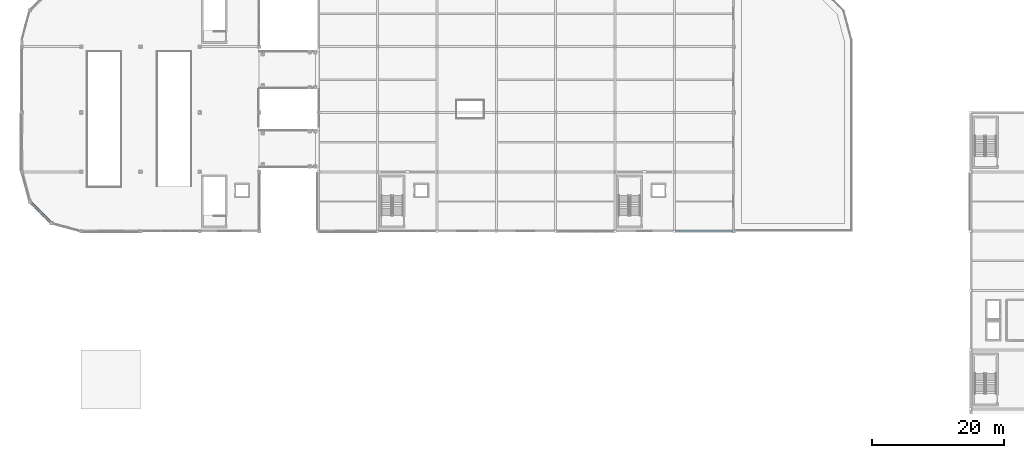
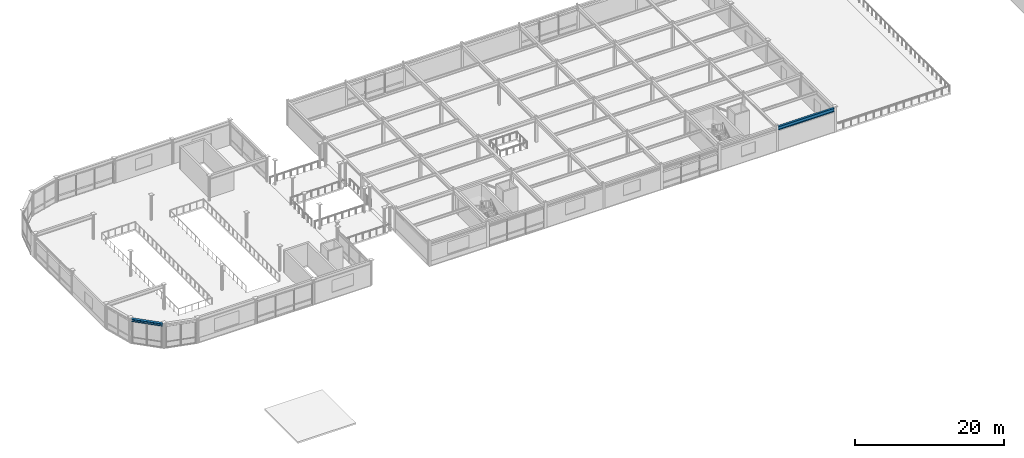
# One storey, part 18 of 53: 2 beams.
"""IFC4 building model written with IfcOpenShell, lengths in metres."""

from ifc_helpers import new_model, si_unit, direction, frame, origin, origin_2d, place, context, subcontext, project, spatial, i_section, extrude, material, material_profile, profile_set, type_object, element, save


model = new_model("IFC4")

# Units and contexts
model_context = context("Model", 3, precision=1e-05, world=origin(), true_north=direction((0.0, 1.0)))
body_context = subcontext(model_context, "Body", "Model", "MODEL_VIEW")
ifc_project = project(units=[si_unit("LENGTHUNIT", "METRE"), si_unit("AREAUNIT", "SQUARE_METRE"), si_unit("VOLUMEUNIT", "CUBIC_METRE"), si_unit("PLANEANGLEUNIT", "RADIAN"), si_unit("MASSUNIT", "GRAM", prefix="KILO")], contexts=[model_context])

# Site, building, storey
site_placement = place(None, origin())
site = spatial("IfcSite", under=ifc_project, at=site_placement, CompositionType="ELEMENT")
building_placement = place(site_placement, origin())
building = spatial("IfcBuilding", under=site, at=building_placement, Name="Suzunagisa Mobility Hub", CompositionType="ELEMENT")
storey_placement = place(building_placement, frame((0.0, 0.0, 17.699951171875)))
storey = spatial("IfcBuildingStorey", under=building, at=storey_placement, Name="L04", CompositionType="ELEMENT", Elevation=17.699951171875)

# Beams
ifc_material = material(Name="Steel SN490B", Category="steel")
ifc_material_profile_1 = material_profile(ifc_material, i_section(OverallWidth=0.39990234375, OverallDepth=0.39990234375, WebThickness=0.012939453125, FlangeThickness=0.02099609375, FilletRadius=0.01611328125, at=origin_2d()), Name="H-400x400x13x21")
ifc_profile_set_1 = profile_set([ifc_material_profile_1], Name="Steel SN490B")
beam_type_1 = type_object("IfcBeamType", Name="Steel Beam BM-12 H-400x400x13x21", PredefinedType="SPANDREL", material=ifc_profile_set_1)
beam_1_placement = place(storey_placement, frame((1.33154296875, 84.374267578125, 3.739990234375), z_axis=(0.707106781187, -0.707106781187, 0.0), x_axis=(0.707106781187, 0.707106781187, 0.0)))
element("IfcBeam", 1, at=beam_1_placement, inside=storey, type_object=beam_type_1, Name="L04 Ramp Drum Corner Prow Spandrel 2264", PredefinedType="SPANDREL", context=body_context, shape_type="SweptSolid", body=[
    extrude(i_section(OverallWidth=0.39990234375, OverallDepth=0.39990234375, WebThickness=0.012939453125, FlangeThickness=0.02099609375, FilletRadius=0.01611328125, at=origin_2d()), origin(), (0.0, 0.0, 1.0), 4.302978515625),
])
ifc_material_profile_2 = material_profile(ifc_material, i_section(OverallWidth=0.300048828125, OverallDepth=0.587890625, WebThickness=0.011962890625, FlangeThickness=0.02001953125, FilletRadius=0.012939453125, at=origin_2d()), Name="H-588x300x12x20")
ifc_profile_set_2 = profile_set([ifc_material_profile_2], Name="Steel SN490B")
beam_type_2 = type_object("IfcBeamType", Name="Steel Beam BM-16 H-588x300x12x20", PredefinedType="BEAM", material=ifc_profile_set_2)
beam_2_placement = place(storey_placement, frame((99.1708984375, 80.0, 3.6259765625), z_axis=(1.0, 0.0, 0.0), x_axis=(0.0, 1.0, 0.0)))
element("IfcBeam", 2, at=beam_2_placement, inside=storey, type_object=beam_type_2, Name="L04 Primary Girder GX-1221", PredefinedType="BEAM", context=body_context, shape_type="SweptSolid", body=[
    extrude(i_section(OverallWidth=0.300048828125, OverallDepth=0.587890625, WebThickness=0.011962890625, FlangeThickness=0.02001953125, FilletRadius=0.012939453125, at=origin_2d()), origin(), (0.0, 0.0, 1.0), 8.658203125),
])

save(model, "model.ifc")
